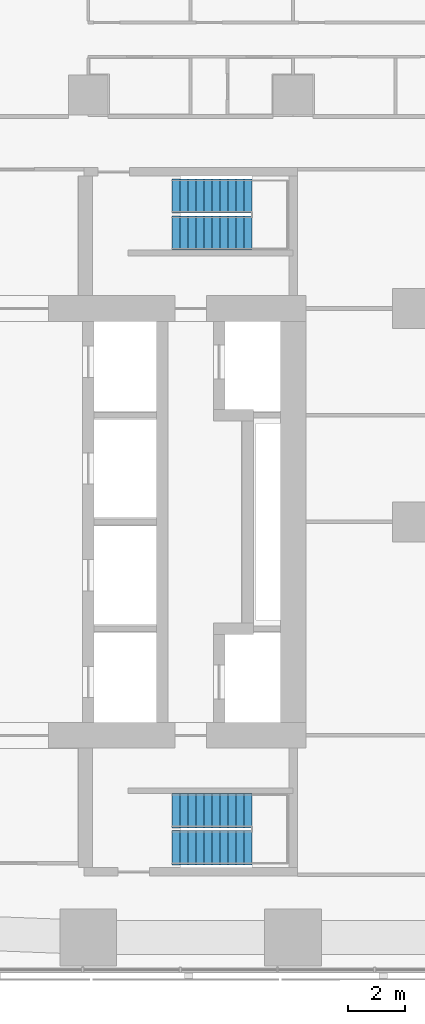
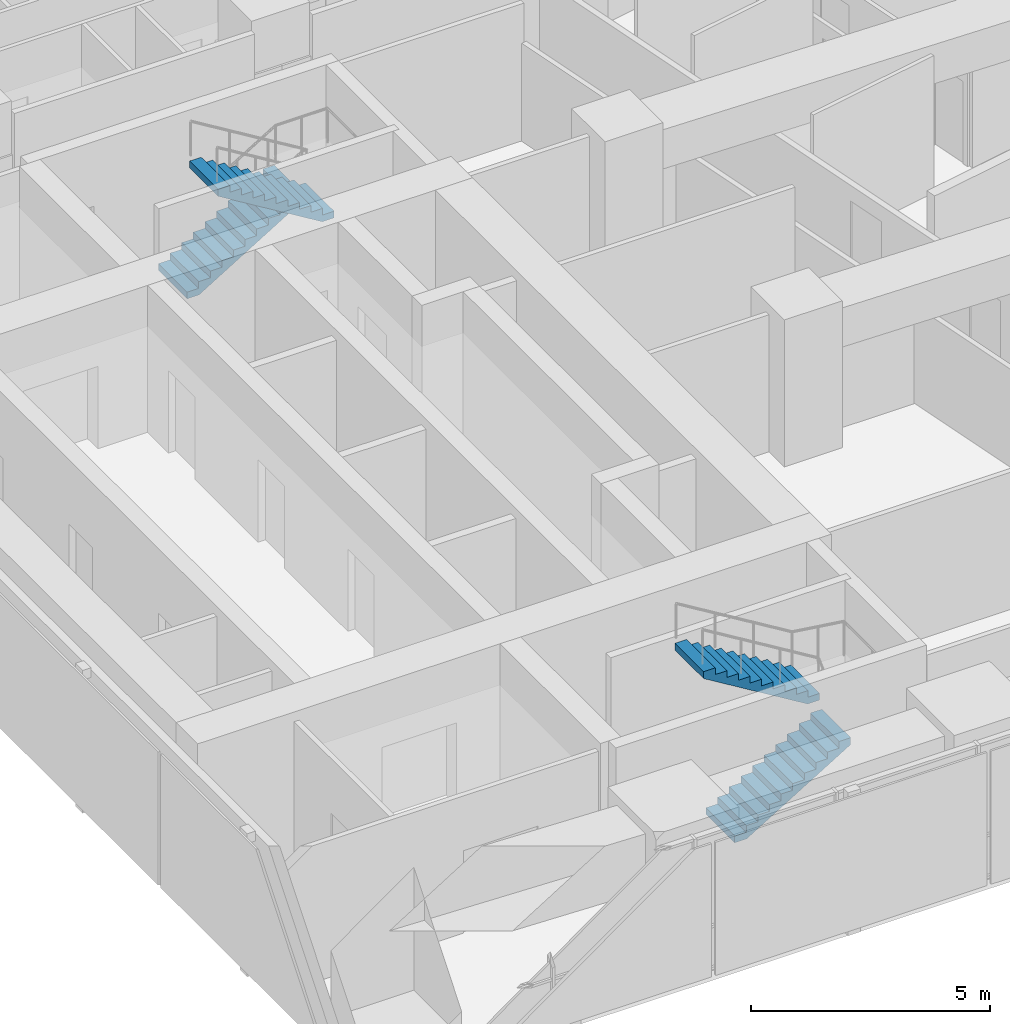
# One storey, part 10 of 11: 4 stair flights, 2 elements without a shape of their own.
"""IFC4 building model written with IfcOpenShell, lengths in metres."""

from ifc_helpers import new_model, si_unit, direction, frame, origin, place, context, subcontext, project, spatial, triangles, material, type_object, element, aggregate, save


model = new_model("IFC4")

# Units and contexts
model_context = context("Model", 3, precision=1e-05, world=origin(), true_north=direction((0.0, 1.0)))
body_context = subcontext(model_context, "Body", "Model", "MODEL_VIEW")
ifc_project = project(units=[si_unit("LENGTHUNIT", "METRE"), si_unit("AREAUNIT", "SQUARE_METRE"), si_unit("VOLUMEUNIT", "CUBIC_METRE"), si_unit("PLANEANGLEUNIT", "RADIAN"), si_unit("MASSUNIT", "GRAM", prefix="KILO")], contexts=[model_context])

# Site, building, storey
site_placement = place(None, origin())
site = spatial("IfcSite", under=ifc_project, at=site_placement, CompositionType="ELEMENT")
building_placement = place(site_placement, origin())
building = spatial("IfcBuilding", under=site, at=building_placement, Name="Sheger Commons Tower", CompositionType="ELEMENT")
storey_placement = place(building_placement, frame((0.0, 0.0, 262.85009765625)))
storey = spatial("IfcBuildingStorey", under=building, at=storey_placement, Name="L67", CompositionType="ELEMENT", Elevation=262.85009765625)

# Stair, stair flights
ifc_material_1 = material(Name="Concrete C35/45", Category="concrete")
stair_type = type_object("IfcStairType", Name="HALF-TURN STAIR 1200 RISE 3750", PredefinedType="HALF_TURN_STAIR", material=ifc_material_1)
stair_1_placement = place(storey_placement, origin())
stair_1 = element("IfcStair", 1, at=stair_1_placement, inside=storey, type_object=stair_type, Name="Stair S1 L67", PredefinedType="HALF_TURN_STAIR")
ifc_material_2 = material(Name="Concrete C35/45", Category="concrete")
stair_flight_type = type_object("IfcStairFlightType", Name="STAIR FLIGHT 1200 11 RISERS OF 170", PredefinedType="STRAIGHT", material=ifc_material_2)
stair_flight_1_placement = place(storey_placement, frame((24.550048828125, 11.050048828125, 0.0), z_axis=(0.0, 0.0, 1.0), x_axis=(1.0, 0.0, 0.0)))
stair_flight_1 = element("IfcStairFlight", 2, at=stair_flight_1_placement, type_object=stair_flight_type, Name="S1 flight 1", NumberOfRisers=11, NumberOfTreads=10, PredefinedType="STRAIGHT", RiserHeight=0.170454545, TreadLength=0.28, context=body_context, shape_type="Tessellation", body=[
    triangles([(0.0, 0.5999755859375, 0.0), (0.0, 0.5999755859375, 0.17041015625), (0.280029296875, 0.5999755859375, 0.17041015625), (0.280029296875, 0.5999755859375, 0.3408203125), (0.56005859375, 0.5999755859375, 0.3408203125), (0.56005859375, 0.5999755859375, 0.511474609375), (0.840087890625, 0.5999755859375, 0.511474609375), (0.840087890625, 0.5999755859375, 0.681884765625), (1.1201171875, 0.5999755859375, 0.681884765625), (1.1201171875, 0.5999755859375, 0.852294921875), (1.39990234375, 0.5999755859375, 0.852294921875), (1.39990234375, 0.5999755859375, 1.022705078125), (1.679931640625, 0.5999755859375, 1.022705078125), (1.679931640625, 0.5999755859375, 1.193115234375), (1.9599609375, 0.5999755859375, 1.193115234375), (1.9599609375, 0.5999755859375, 1.363525390625), (2.239990234375, 0.5999755859375, 1.363525390625), (2.239990234375, 0.5999755859375, 1.5341796875), (2.52001953125, 0.5999755859375, 1.5341796875), (2.52001953125, 0.5999755859375, 1.70458984375), (2.800048828125, 0.5999755859375, 1.70458984375), (2.800048828125, 0.5999755859375, 1.529052734375), (0.288330078125, 0.5999755859375, 0.0), (0.0, -0.5999755859375, 0.0), (0.0, -0.5999755859375, 0.17041015625), (0.280029296875, -0.5999755859375, 0.17041015625), (0.280029296875, -0.5999755859375, 0.3408203125), (0.56005859375, -0.5999755859375, 0.3408203125), (0.56005859375, -0.5999755859375, 0.511474609375), (0.840087890625, -0.5999755859375, 0.511474609375), (0.840087890625, -0.5999755859375, 0.681884765625), (1.1201171875, -0.5999755859375, 0.681884765625), (1.1201171875, -0.5999755859375, 0.852294921875), (1.39990234375, -0.5999755859375, 0.852294921875), (1.39990234375, -0.5999755859375, 1.022705078125), (1.679931640625, -0.5999755859375, 1.022705078125), (1.679931640625, -0.5999755859375, 1.193115234375), (1.9599609375, -0.5999755859375, 1.193115234375), (1.9599609375, -0.5999755859375, 1.363525390625), (2.239990234375, -0.5999755859375, 1.363525390625), (2.239990234375, -0.5999755859375, 1.5341796875), (2.52001953125, -0.5999755859375, 1.5341796875), (2.52001953125, -0.5999755859375, 1.70458984375), (2.800048828125, -0.5999755859375, 1.70458984375), (2.800048828125, -0.5999755859375, 1.529052734375), (0.288330078125, -0.5999755859375, 0.0), (0.0, 0.0, 0.085205078125), (0.1400146484375, 0.0, 0.17041015625), (0.280029296875, 0.0, 0.255615234375), (0.4200439453125, 0.0, 0.3408203125), (0.56005859375, 0.0, 0.4261474609375), (0.7000732421875, 0.0, 0.511474609375), (0.840087890625, 0.0, 0.5966796875), (0.9801025390625, 0.0, 0.681884765625), (1.1201171875, 0.0, 0.76708984375), (1.260009765625, 0.0, 0.852294921875), (1.39990234375, 0.0, 0.9375), (1.5399169921875, 0.0, 1.022705078125), (1.679931640625, 0.0, 1.10791015625), (1.8199462890625, 0.0, 1.193115234375), (1.9599609375, 0.0, 1.2783203125), (2.0999755859375, 0.0, 1.363525390625), (2.239990234375, 0.0, 1.4488525390625), (2.3800048828125, 0.0, 1.5341796875), (2.52001953125, 0.0, 1.619384765625), (2.6600341796875, 0.0, 1.70458984375), (2.800048828125, 0.0, 1.6168212890625), (1.544189453125, 0.0, 0.7645263671875), (0.1441650390625, 0.0, 0.0)], [[1, 22, 23], [24, 46, 45], [22, 20, 21], [45, 44, 43], [22, 19, 20], [45, 43, 42], [22, 18, 19], [45, 42, 41], [22, 17, 18], [45, 41, 40], [17, 15, 16], [40, 39, 38], [22, 15, 17], [45, 40, 38], [15, 13, 14], [38, 37, 36], [22, 13, 15], [45, 38, 36], [13, 11, 12], [36, 35, 34], [22, 11, 13], [45, 36, 34], [11, 9, 10], [34, 33, 32], [22, 9, 11], [45, 34, 32], [9, 7, 8], [32, 31, 30], [22, 7, 9], [45, 32, 30], [7, 5, 6], [30, 29, 28], [22, 5, 7], [45, 30, 28], [5, 3, 4], [28, 27, 26], [22, 3, 5], [45, 28, 26], [1, 3, 22], [24, 45, 26], [3, 1, 2], [26, 25, 24], [1, 47, 2], [2, 47, 25], [25, 47, 24], [24, 47, 1], [2, 48, 3], [3, 48, 26], [26, 48, 25], [25, 48, 2], [3, 49, 4], [4, 49, 27], [27, 49, 26], [26, 49, 3], [4, 50, 5], [5, 50, 28], [28, 50, 27], [27, 50, 4], [5, 51, 6], [6, 51, 29], [29, 51, 28], [28, 51, 5], [6, 52, 7], [7, 52, 30], [30, 52, 29], [29, 52, 6], [7, 53, 8], [8, 53, 31], [31, 53, 30], [30, 53, 7], [8, 54, 9], [9, 54, 32], [32, 54, 31], [31, 54, 8], [9, 55, 10], [10, 55, 33], [33, 55, 32], [32, 55, 9], [10, 56, 11], [11, 56, 34], [34, 56, 33], [33, 56, 10], [11, 57, 12], [12, 57, 35], [35, 57, 34], [34, 57, 11], [12, 58, 13], [13, 58, 36], [36, 58, 35], [35, 58, 12], [13, 59, 14], [14, 59, 37], [37, 59, 36], [36, 59, 13], [14, 60, 15], [15, 60, 38], [38, 60, 37], [37, 60, 14], [15, 61, 16], [16, 61, 39], [39, 61, 38], [38, 61, 15], [16, 62, 17], [17, 62, 40], [40, 62, 39], [39, 62, 16], [17, 63, 18], [18, 63, 41], [41, 63, 40], [40, 63, 17], [18, 64, 19], [19, 64, 42], [42, 64, 41], [41, 64, 18], [19, 65, 20], [20, 65, 43], [43, 65, 42], [42, 65, 19], [20, 66, 21], [21, 66, 44], [44, 66, 43], [43, 66, 20], [21, 67, 22], [22, 67, 45], [45, 67, 44], [44, 67, 21], [22, 68, 23], [23, 68, 46], [46, 68, 45], [45, 68, 22], [23, 69, 1], [1, 69, 24], [24, 69, 46], [46, 69, 23]], closed=True),
])
stair_flight_2_placement = place(storey_placement, frame((27.35009765625, 12.35009765625, 1.875), z_axis=(0.0, 0.0, 1.0), x_axis=(-1.0, 0.0, 0.0)))
stair_flight_2 = element("IfcStairFlight", 3, at=stair_flight_2_placement, type_object=stair_flight_type, Name="S1 flight 2", NumberOfRisers=11, NumberOfTreads=10, PredefinedType="STRAIGHT", RiserHeight=0.170454545, TreadLength=0.28, context=body_context, shape_type="Tessellation", body=[
    triangles([(0.0, 0.5999755859375, 0.0), (0.0, 0.5999755859375, 0.17041015625), (0.280029296875, 0.5999755859375, 0.17041015625), (0.280029296875, 0.5999755859375, 0.3408203125), (0.56005859375, 0.5999755859375, 0.3408203125), (0.56005859375, 0.5999755859375, 0.511474609375), (0.840087890625, 0.5999755859375, 0.511474609375), (0.840087890625, 0.5999755859375, 0.681884765625), (1.1201171875, 0.5999755859375, 0.681884765625), (1.1201171875, 0.5999755859375, 0.852294921875), (1.39990234375, 0.5999755859375, 0.852294921875), (1.39990234375, 0.5999755859375, 1.022705078125), (1.679931640625, 0.5999755859375, 1.022705078125), (1.679931640625, 0.5999755859375, 1.193115234375), (1.9599609375, 0.5999755859375, 1.193115234375), (1.9599609375, 0.5999755859375, 1.363525390625), (2.239990234375, 0.5999755859375, 1.363525390625), (2.239990234375, 0.5999755859375, 1.5341796875), (2.52001953125, 0.5999755859375, 1.5341796875), (2.52001953125, 0.5999755859375, 1.70458984375), (2.800048828125, 0.5999755859375, 1.70458984375), (2.800048828125, 0.5999755859375, 1.529052734375), (0.288330078125, 0.5999755859375, 0.0), (0.0, -0.5999755859375, 0.0), (0.0, -0.5999755859375, 0.17041015625), (0.280029296875, -0.5999755859375, 0.17041015625), (0.280029296875, -0.5999755859375, 0.3408203125), (0.56005859375, -0.5999755859375, 0.3408203125), (0.56005859375, -0.5999755859375, 0.511474609375), (0.840087890625, -0.5999755859375, 0.511474609375), (0.840087890625, -0.5999755859375, 0.681884765625), (1.1201171875, -0.5999755859375, 0.681884765625), (1.1201171875, -0.5999755859375, 0.852294921875), (1.39990234375, -0.5999755859375, 0.852294921875), (1.39990234375, -0.5999755859375, 1.022705078125), (1.679931640625, -0.5999755859375, 1.022705078125), (1.679931640625, -0.5999755859375, 1.193115234375), (1.9599609375, -0.5999755859375, 1.193115234375), (1.9599609375, -0.5999755859375, 1.363525390625), (2.239990234375, -0.5999755859375, 1.363525390625), (2.239990234375, -0.5999755859375, 1.5341796875), (2.52001953125, -0.5999755859375, 1.5341796875), (2.52001953125, -0.5999755859375, 1.70458984375), (2.800048828125, -0.5999755859375, 1.70458984375), (2.800048828125, -0.5999755859375, 1.529052734375), (0.288330078125, -0.5999755859375, 0.0), (0.0, 0.0, 0.085205078125), (0.1400146484375, 0.0, 0.17041015625), (0.280029296875, 0.0, 0.255615234375), (0.4200439453125, 0.0, 0.3408203125), (0.56005859375, 0.0, 0.4261474609375), (0.7000732421875, 0.0, 0.511474609375), (0.840087890625, 0.0, 0.5966796875), (0.9801025390625, 0.0, 0.681884765625), (1.1201171875, 0.0, 0.76708984375), (1.260009765625, 0.0, 0.852294921875), (1.39990234375, 0.0, 0.9375), (1.5399169921875, 0.0, 1.022705078125), (1.679931640625, 0.0, 1.10791015625), (1.8199462890625, 0.0, 1.193115234375), (1.9599609375, 0.0, 1.2783203125), (2.0999755859375, 0.0, 1.363525390625), (2.239990234375, 0.0, 1.4488525390625), (2.3800048828125, 0.0, 1.5341796875), (2.52001953125, 0.0, 1.619384765625), (2.6600341796875, 0.0, 1.70458984375), (2.800048828125, 0.0, 1.6168212890625), (1.544189453125, 0.0, 0.7645263671875), (0.1441650390625, 0.0, 0.0)], [[1, 22, 23], [24, 46, 45], [22, 20, 21], [45, 44, 43], [22, 19, 20], [45, 43, 42], [22, 18, 19], [45, 42, 41], [22, 17, 18], [45, 41, 40], [17, 15, 16], [40, 39, 38], [22, 15, 17], [45, 40, 38], [15, 13, 14], [38, 37, 36], [22, 13, 15], [45, 38, 36], [13, 11, 12], [36, 35, 34], [22, 11, 13], [45, 36, 34], [11, 9, 10], [34, 33, 32], [22, 9, 11], [45, 34, 32], [9, 7, 8], [32, 31, 30], [22, 7, 9], [45, 32, 30], [7, 5, 6], [30, 29, 28], [22, 5, 7], [45, 30, 28], [5, 3, 4], [28, 27, 26], [22, 3, 5], [45, 28, 26], [1, 3, 22], [24, 45, 26], [3, 1, 2], [26, 25, 24], [1, 47, 2], [2, 47, 25], [25, 47, 24], [24, 47, 1], [2, 48, 3], [3, 48, 26], [26, 48, 25], [25, 48, 2], [3, 49, 4], [4, 49, 27], [27, 49, 26], [26, 49, 3], [4, 50, 5], [5, 50, 28], [28, 50, 27], [27, 50, 4], [5, 51, 6], [6, 51, 29], [29, 51, 28], [28, 51, 5], [6, 52, 7], [7, 52, 30], [30, 52, 29], [29, 52, 6], [7, 53, 8], [8, 53, 31], [31, 53, 30], [30, 53, 7], [8, 54, 9], [9, 54, 32], [32, 54, 31], [31, 54, 8], [9, 55, 10], [10, 55, 33], [33, 55, 32], [32, 55, 9], [10, 56, 11], [11, 56, 34], [34, 56, 33], [33, 56, 10], [11, 57, 12], [12, 57, 35], [35, 57, 34], [34, 57, 11], [12, 58, 13], [13, 58, 36], [36, 58, 35], [35, 58, 12], [13, 59, 14], [14, 59, 37], [37, 59, 36], [36, 59, 13], [14, 60, 15], [15, 60, 38], [38, 60, 37], [37, 60, 14], [15, 61, 16], [16, 61, 39], [39, 61, 38], [38, 61, 15], [16, 62, 17], [17, 62, 40], [40, 62, 39], [39, 62, 16], [17, 63, 18], [18, 63, 41], [41, 63, 40], [40, 63, 17], [18, 64, 19], [19, 64, 42], [42, 64, 41], [41, 64, 18], [19, 65, 20], [20, 65, 43], [43, 65, 42], [42, 65, 19], [20, 66, 21], [21, 66, 44], [44, 66, 43], [43, 66, 20], [21, 67, 22], [22, 67, 45], [45, 67, 44], [44, 67, 21], [22, 68, 23], [23, 68, 46], [46, 68, 45], [45, 68, 22], [23, 69, 1], [1, 69, 24], [24, 69, 46], [46, 69, 23]], closed=True),
])
aggregate(stair_1, [stair_flight_1, stair_flight_2])

stair_2_placement = place(storey_placement, origin())
stair_2 = element("IfcStair", 4, at=stair_2_placement, inside=storey, type_object=stair_type, Name="Stair S2 L67", PredefinedType="HALF_TURN_STAIR")
stair_flight_3_placement = place(storey_placement, frame((24.550048828125, 33.949951171875, 0.0), z_axis=(0.0, 0.0, 1.0), x_axis=(1.0, 0.0, 0.0)))
stair_flight_3 = element("IfcStairFlight", 5, at=stair_flight_3_placement, type_object=stair_flight_type, Name="S2 flight 1", NumberOfRisers=11, NumberOfTreads=10, PredefinedType="STRAIGHT", RiserHeight=0.170454545, TreadLength=0.28, context=body_context, shape_type="Tessellation", body=[
    triangles([(0.0, 0.5999755859375, 0.0), (0.0, 0.5999755859375, 0.17041015625), (0.280029296875, 0.5999755859375, 0.17041015625), (0.280029296875, 0.5999755859375, 0.3408203125), (0.56005859375, 0.5999755859375, 0.3408203125), (0.56005859375, 0.5999755859375, 0.511474609375), (0.840087890625, 0.5999755859375, 0.511474609375), (0.840087890625, 0.5999755859375, 0.681884765625), (1.1201171875, 0.5999755859375, 0.681884765625), (1.1201171875, 0.5999755859375, 0.852294921875), (1.39990234375, 0.5999755859375, 0.852294921875), (1.39990234375, 0.5999755859375, 1.022705078125), (1.679931640625, 0.5999755859375, 1.022705078125), (1.679931640625, 0.5999755859375, 1.193115234375), (1.9599609375, 0.5999755859375, 1.193115234375), (1.9599609375, 0.5999755859375, 1.363525390625), (2.239990234375, 0.5999755859375, 1.363525390625), (2.239990234375, 0.5999755859375, 1.5341796875), (2.52001953125, 0.5999755859375, 1.5341796875), (2.52001953125, 0.5999755859375, 1.70458984375), (2.800048828125, 0.5999755859375, 1.70458984375), (2.800048828125, 0.5999755859375, 1.529052734375), (0.288330078125, 0.5999755859375, 0.0), (0.0, -0.5999755859375, 0.0), (0.0, -0.5999755859375, 0.17041015625), (0.280029296875, -0.5999755859375, 0.17041015625), (0.280029296875, -0.5999755859375, 0.3408203125), (0.56005859375, -0.5999755859375, 0.3408203125), (0.56005859375, -0.5999755859375, 0.511474609375), (0.840087890625, -0.5999755859375, 0.511474609375), (0.840087890625, -0.5999755859375, 0.681884765625), (1.1201171875, -0.5999755859375, 0.681884765625), (1.1201171875, -0.5999755859375, 0.852294921875), (1.39990234375, -0.5999755859375, 0.852294921875), (1.39990234375, -0.5999755859375, 1.022705078125), (1.679931640625, -0.5999755859375, 1.022705078125), (1.679931640625, -0.5999755859375, 1.193115234375), (1.9599609375, -0.5999755859375, 1.193115234375), (1.9599609375, -0.5999755859375, 1.363525390625), (2.239990234375, -0.5999755859375, 1.363525390625), (2.239990234375, -0.5999755859375, 1.5341796875), (2.52001953125, -0.5999755859375, 1.5341796875), (2.52001953125, -0.5999755859375, 1.70458984375), (2.800048828125, -0.5999755859375, 1.70458984375), (2.800048828125, -0.5999755859375, 1.529052734375), (0.288330078125, -0.5999755859375, 0.0), (0.0, 0.0, 0.085205078125), (0.1400146484375, 0.0, 0.17041015625), (0.280029296875, 0.0, 0.255615234375), (0.4200439453125, 0.0, 0.3408203125), (0.56005859375, 0.0, 0.4261474609375), (0.7000732421875, 0.0, 0.511474609375), (0.840087890625, 0.0, 0.5966796875), (0.9801025390625, 0.0, 0.681884765625), (1.1201171875, 0.0, 0.76708984375), (1.260009765625, 0.0, 0.852294921875), (1.39990234375, 0.0, 0.9375), (1.5399169921875, 0.0, 1.022705078125), (1.679931640625, 0.0, 1.10791015625), (1.8199462890625, 0.0, 1.193115234375), (1.9599609375, 0.0, 1.2783203125), (2.0999755859375, 0.0, 1.363525390625), (2.239990234375, 0.0, 1.4488525390625), (2.3800048828125, 0.0, 1.5341796875), (2.52001953125, 0.0, 1.619384765625), (2.6600341796875, 0.0, 1.70458984375), (2.800048828125, 0.0, 1.6168212890625), (1.544189453125, 0.0, 0.7645263671875), (0.1441650390625, 0.0, 0.0)], [[1, 22, 23], [24, 46, 45], [22, 20, 21], [45, 44, 43], [22, 19, 20], [45, 43, 42], [22, 18, 19], [45, 42, 41], [22, 17, 18], [45, 41, 40], [17, 15, 16], [40, 39, 38], [22, 15, 17], [45, 40, 38], [15, 13, 14], [38, 37, 36], [22, 13, 15], [45, 38, 36], [13, 11, 12], [36, 35, 34], [22, 11, 13], [45, 36, 34], [11, 9, 10], [34, 33, 32], [22, 9, 11], [45, 34, 32], [9, 7, 8], [32, 31, 30], [22, 7, 9], [45, 32, 30], [7, 5, 6], [30, 29, 28], [22, 5, 7], [45, 30, 28], [5, 3, 4], [28, 27, 26], [22, 3, 5], [45, 28, 26], [1, 3, 22], [24, 45, 26], [3, 1, 2], [26, 25, 24], [1, 47, 2], [2, 47, 25], [25, 47, 24], [24, 47, 1], [2, 48, 3], [3, 48, 26], [26, 48, 25], [25, 48, 2], [3, 49, 4], [4, 49, 27], [27, 49, 26], [26, 49, 3], [4, 50, 5], [5, 50, 28], [28, 50, 27], [27, 50, 4], [5, 51, 6], [6, 51, 29], [29, 51, 28], [28, 51, 5], [6, 52, 7], [7, 52, 30], [30, 52, 29], [29, 52, 6], [7, 53, 8], [8, 53, 31], [31, 53, 30], [30, 53, 7], [8, 54, 9], [9, 54, 32], [32, 54, 31], [31, 54, 8], [9, 55, 10], [10, 55, 33], [33, 55, 32], [32, 55, 9], [10, 56, 11], [11, 56, 34], [34, 56, 33], [33, 56, 10], [11, 57, 12], [12, 57, 35], [35, 57, 34], [34, 57, 11], [12, 58, 13], [13, 58, 36], [36, 58, 35], [35, 58, 12], [13, 59, 14], [14, 59, 37], [37, 59, 36], [36, 59, 13], [14, 60, 15], [15, 60, 38], [38, 60, 37], [37, 60, 14], [15, 61, 16], [16, 61, 39], [39, 61, 38], [38, 61, 15], [16, 62, 17], [17, 62, 40], [40, 62, 39], [39, 62, 16], [17, 63, 18], [18, 63, 41], [41, 63, 40], [40, 63, 17], [18, 64, 19], [19, 64, 42], [42, 64, 41], [41, 64, 18], [19, 65, 20], [20, 65, 43], [43, 65, 42], [42, 65, 19], [20, 66, 21], [21, 66, 44], [44, 66, 43], [43, 66, 20], [21, 67, 22], [22, 67, 45], [45, 67, 44], [44, 67, 21], [22, 68, 23], [23, 68, 46], [46, 68, 45], [45, 68, 22], [23, 69, 1], [1, 69, 24], [24, 69, 46], [46, 69, 23]], closed=True),
])
stair_flight_4_placement = place(storey_placement, frame((27.35009765625, 32.64990234375, 1.875), z_axis=(0.0, 0.0, 1.0), x_axis=(-1.0, 0.0, 0.0)))
stair_flight_4 = element("IfcStairFlight", 6, at=stair_flight_4_placement, type_object=stair_flight_type, Name="S2 flight 2", NumberOfRisers=11, NumberOfTreads=10, PredefinedType="STRAIGHT", RiserHeight=0.170454545, TreadLength=0.28, context=body_context, shape_type="Tessellation", body=[
    triangles([(0.0, 0.5999755859375, 0.0), (0.0, 0.5999755859375, 0.17041015625), (0.280029296875, 0.5999755859375, 0.17041015625), (0.280029296875, 0.5999755859375, 0.3408203125), (0.56005859375, 0.5999755859375, 0.3408203125), (0.56005859375, 0.5999755859375, 0.511474609375), (0.840087890625, 0.5999755859375, 0.511474609375), (0.840087890625, 0.5999755859375, 0.681884765625), (1.1201171875, 0.5999755859375, 0.681884765625), (1.1201171875, 0.5999755859375, 0.852294921875), (1.39990234375, 0.5999755859375, 0.852294921875), (1.39990234375, 0.5999755859375, 1.022705078125), (1.679931640625, 0.5999755859375, 1.022705078125), (1.679931640625, 0.5999755859375, 1.193115234375), (1.9599609375, 0.5999755859375, 1.193115234375), (1.9599609375, 0.5999755859375, 1.363525390625), (2.239990234375, 0.5999755859375, 1.363525390625), (2.239990234375, 0.5999755859375, 1.5341796875), (2.52001953125, 0.5999755859375, 1.5341796875), (2.52001953125, 0.5999755859375, 1.70458984375), (2.800048828125, 0.5999755859375, 1.70458984375), (2.800048828125, 0.5999755859375, 1.529052734375), (0.288330078125, 0.5999755859375, 0.0), (0.0, -0.5999755859375, 0.0), (0.0, -0.5999755859375, 0.17041015625), (0.280029296875, -0.5999755859375, 0.17041015625), (0.280029296875, -0.5999755859375, 0.3408203125), (0.56005859375, -0.5999755859375, 0.3408203125), (0.56005859375, -0.5999755859375, 0.511474609375), (0.840087890625, -0.5999755859375, 0.511474609375), (0.840087890625, -0.5999755859375, 0.681884765625), (1.1201171875, -0.5999755859375, 0.681884765625), (1.1201171875, -0.5999755859375, 0.852294921875), (1.39990234375, -0.5999755859375, 0.852294921875), (1.39990234375, -0.5999755859375, 1.022705078125), (1.679931640625, -0.5999755859375, 1.022705078125), (1.679931640625, -0.5999755859375, 1.193115234375), (1.9599609375, -0.5999755859375, 1.193115234375), (1.9599609375, -0.5999755859375, 1.363525390625), (2.239990234375, -0.5999755859375, 1.363525390625), (2.239990234375, -0.5999755859375, 1.5341796875), (2.52001953125, -0.5999755859375, 1.5341796875), (2.52001953125, -0.5999755859375, 1.70458984375), (2.800048828125, -0.5999755859375, 1.70458984375), (2.800048828125, -0.5999755859375, 1.529052734375), (0.288330078125, -0.5999755859375, 0.0), (0.0, 0.0, 0.085205078125), (0.1400146484375, 0.0, 0.17041015625), (0.280029296875, 0.0, 0.255615234375), (0.4200439453125, 0.0, 0.3408203125), (0.56005859375, 0.0, 0.4261474609375), (0.7000732421875, 0.0, 0.511474609375), (0.840087890625, 0.0, 0.5966796875), (0.9801025390625, 0.0, 0.681884765625), (1.1201171875, 0.0, 0.76708984375), (1.260009765625, 0.0, 0.852294921875), (1.39990234375, 0.0, 0.9375), (1.5399169921875, 0.0, 1.022705078125), (1.679931640625, 0.0, 1.10791015625), (1.8199462890625, 0.0, 1.193115234375), (1.9599609375, 0.0, 1.2783203125), (2.0999755859375, 0.0, 1.363525390625), (2.239990234375, 0.0, 1.4488525390625), (2.3800048828125, 0.0, 1.5341796875), (2.52001953125, 0.0, 1.619384765625), (2.6600341796875, 0.0, 1.70458984375), (2.800048828125, 0.0, 1.6168212890625), (1.544189453125, 0.0, 0.7645263671875), (0.1441650390625, 0.0, 0.0)], [[1, 22, 23], [24, 46, 45], [22, 20, 21], [45, 44, 43], [22, 19, 20], [45, 43, 42], [22, 18, 19], [45, 42, 41], [22, 17, 18], [45, 41, 40], [17, 15, 16], [40, 39, 38], [22, 15, 17], [45, 40, 38], [15, 13, 14], [38, 37, 36], [22, 13, 15], [45, 38, 36], [13, 11, 12], [36, 35, 34], [22, 11, 13], [45, 36, 34], [11, 9, 10], [34, 33, 32], [22, 9, 11], [45, 34, 32], [9, 7, 8], [32, 31, 30], [22, 7, 9], [45, 32, 30], [7, 5, 6], [30, 29, 28], [22, 5, 7], [45, 30, 28], [5, 3, 4], [28, 27, 26], [22, 3, 5], [45, 28, 26], [1, 3, 22], [24, 45, 26], [3, 1, 2], [26, 25, 24], [1, 47, 2], [2, 47, 25], [25, 47, 24], [24, 47, 1], [2, 48, 3], [3, 48, 26], [26, 48, 25], [25, 48, 2], [3, 49, 4], [4, 49, 27], [27, 49, 26], [26, 49, 3], [4, 50, 5], [5, 50, 28], [28, 50, 27], [27, 50, 4], [5, 51, 6], [6, 51, 29], [29, 51, 28], [28, 51, 5], [6, 52, 7], [7, 52, 30], [30, 52, 29], [29, 52, 6], [7, 53, 8], [8, 53, 31], [31, 53, 30], [30, 53, 7], [8, 54, 9], [9, 54, 32], [32, 54, 31], [31, 54, 8], [9, 55, 10], [10, 55, 33], [33, 55, 32], [32, 55, 9], [10, 56, 11], [11, 56, 34], [34, 56, 33], [33, 56, 10], [11, 57, 12], [12, 57, 35], [35, 57, 34], [34, 57, 11], [12, 58, 13], [13, 58, 36], [36, 58, 35], [35, 58, 12], [13, 59, 14], [14, 59, 37], [37, 59, 36], [36, 59, 13], [14, 60, 15], [15, 60, 38], [38, 60, 37], [37, 60, 14], [15, 61, 16], [16, 61, 39], [39, 61, 38], [38, 61, 15], [16, 62, 17], [17, 62, 40], [40, 62, 39], [39, 62, 16], [17, 63, 18], [18, 63, 41], [41, 63, 40], [40, 63, 17], [18, 64, 19], [19, 64, 42], [42, 64, 41], [41, 64, 18], [19, 65, 20], [20, 65, 43], [43, 65, 42], [42, 65, 19], [20, 66, 21], [21, 66, 44], [44, 66, 43], [43, 66, 20], [21, 67, 22], [22, 67, 45], [45, 67, 44], [44, 67, 21], [22, 68, 23], [23, 68, 46], [46, 68, 45], [45, 68, 22], [23, 69, 1], [1, 69, 24], [24, 69, 46], [46, 69, 23]], closed=True),
])
aggregate(stair_2, [stair_flight_3, stair_flight_4])

save(model, "model.ifc")
